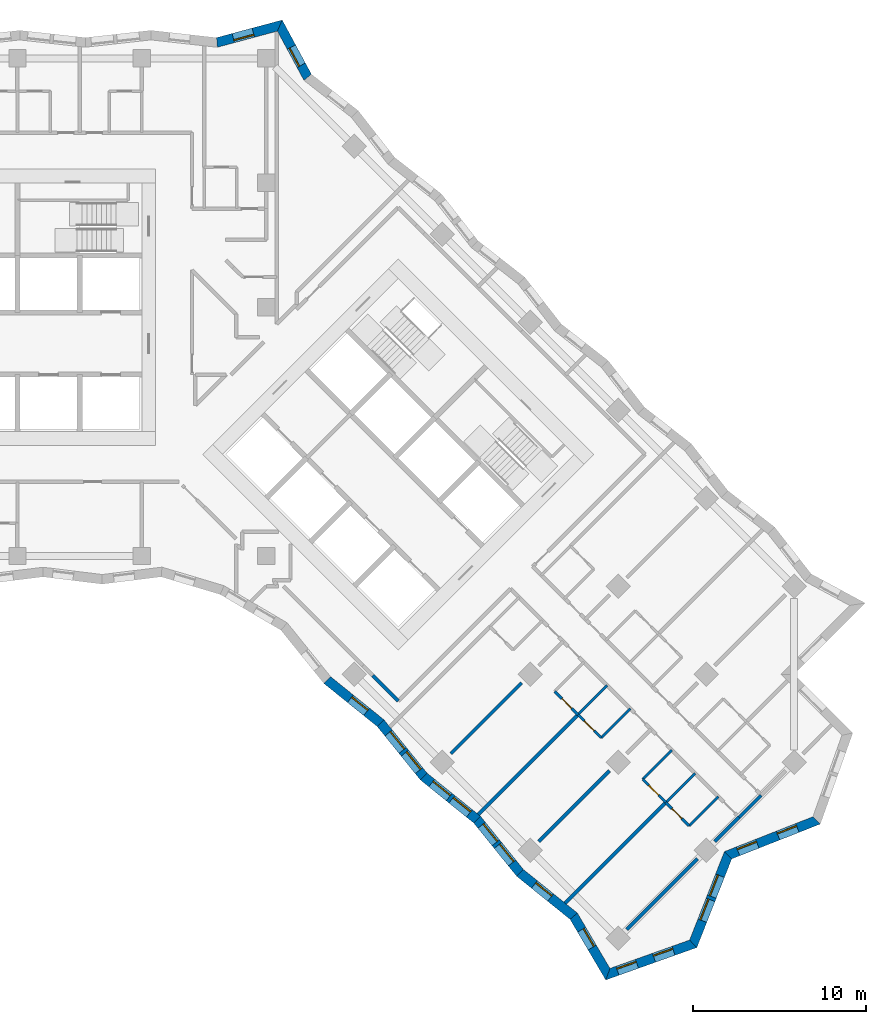
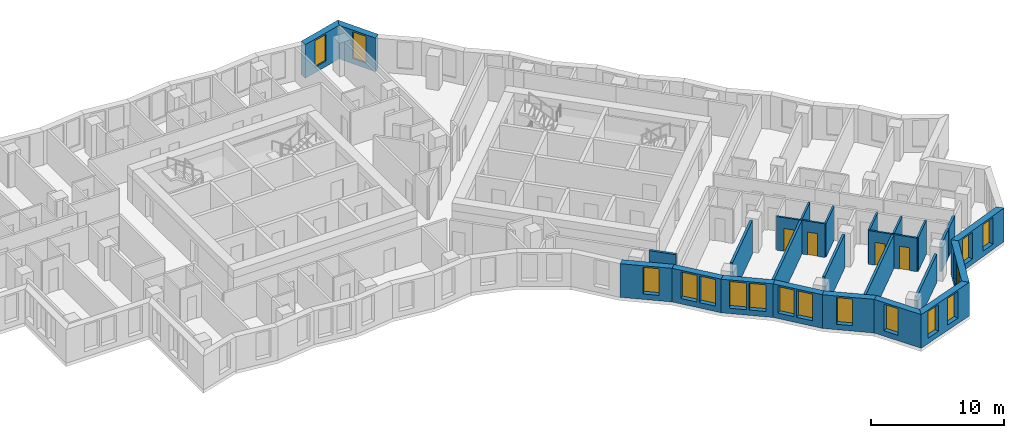
# One storey, part 8 of 13: 28 walls, 17 windows, 4 doors, 21 openings.
"""IFC4 building model written with IfcOpenShell, lengths in metres."""

from ifc_helpers import new_model, si_unit, direction, frame, frame_2d, origin, place, context, subcontext, project, spatial, polyline, rectangle, outline, extrude, material, layer, layer_set, type_object, element, fill, save


model = new_model("IFC4")

# Units and contexts
model_context = context("Model", 3, precision=1e-05, world=origin(), true_north=direction((0.0, 1.0)))
body_context = subcontext(model_context, "Body", "Model", "MODEL_VIEW")
ifc_project = project(units=[si_unit("LENGTHUNIT", "METRE"), si_unit("AREAUNIT", "SQUARE_METRE"), si_unit("VOLUMEUNIT", "CUBIC_METRE"), si_unit("PLANEANGLEUNIT", "RADIAN"), si_unit("MASSUNIT", "GRAM", prefix="KILO")], contexts=[model_context])

# Site, building, storey
site_placement = place(None, origin())
site = spatial("IfcSite", under=ifc_project, at=site_placement, CompositionType="ELEMENT")
building_placement = place(site_placement, origin())
building = spatial("IfcBuilding", under=site, at=building_placement, Name="Windrow Commons", CompositionType="ELEMENT")
storey_placement = place(building_placement, frame((0.0, 0.0, 94.8)))
storey = spatial("IfcBuildingStorey", under=building, at=storey_placement, Name="L25", CompositionType="ELEMENT", Elevation=94.8)

# Wall, openings, windows
ifc_material_1 = material(Name="Brick masonry, red clay brick", Category="masonry")
ifc_layer_1 = layer(ifc_material_1, 0.55)
ifc_layer_set_1 = layer_set([ifc_layer_1], Name="Brick facade wall 550")
wall_type_1 = type_object("IfcWallType", Name="Brick facade wall 550", PredefinedType="SOLIDWALL", material=ifc_layer_set_1)
wall_1_placement = place(storey_placement, frame((98.9645, 19.0046, 0.0), z_axis=(0.0, 0.0, 1.0), x_axis=(0.9420323594, 0.3355220319, 0.0)))
wall_1 = element("IfcWall", 1, at=wall_1_placement, inside=storey, type_object=wall_type_1, Name="Brick facade wall L25 1", PredefinedType="SOLIDWALL", context=body_context, shape_type="SweptSolid", body=[
    extrude(outline(polyline([(-0.2272, -0.275), (5.3688, -0.275), (5.1187, 0.275), (0.2272, 0.275), (-0.2272, -0.275)])), origin(), (0.0, 0.0, 1.0), 3.1),
])
opening_1_placement = place(wall_1_placement, frame((0.5878, 0.0, 0.5)))
opening_1 = element("IfcOpeningElement", 2, at=opening_1_placement, cuts=wall_1, Name="Opening W7D", PredefinedType="OPENING", context=body_context, shape_type="SweptSolid", body=[
    extrude(rectangle(XDim=1.2, YDim=2.45, at=frame_2d((0.6, 1.225))), frame((0.0, 0.285, 0.0), z_axis=(0.0, -1.0, 0.0), x_axis=(1.0, 0.0, 0.0)), (0.0, 0.0, 1.0), 0.57),
])
opening_2_placement = place(wall_1_placement, frame((2.8336, 0.0, 0.5)))
opening_2 = element("IfcOpeningElement", 3, at=opening_2_placement, cuts=wall_1, Name="Opening W7D", PredefinedType="OPENING", context=body_context, shape_type="SweptSolid", body=[
    extrude(rectangle(XDim=1.2, YDim=2.45, at=frame_2d((0.6, 1.225))), frame((0.0, 0.285, 0.0), z_axis=(0.0, -1.0, 0.0), x_axis=(1.0, 0.0, 0.0)), (0.0, 0.0, 1.0), 0.57),
])
ifc_material_2 = material(Name="Clear float glass in anodised aluminium frame", Category="aluminium")
window_type_1 = type_object("IfcWindowType", Name="Window W7 notch 1200x2450", PartitioningType="SINGLE_PANEL", PredefinedType="WINDOW", material=ifc_material_2)
window_1_placement = place(opening_1_placement, origin())
window_1 = element("IfcWindow", 4, at=window_1_placement, inside=storey, type_object=window_type_1, Name="Window L25 1.1", OverallHeight=2.45, OverallWidth=1.2, PartitioningType="SINGLE_PANEL", PredefinedType="WINDOW", context=body_context, shape_type="SweptSolid", body=[
    extrude(rectangle(XDim=1.2, YDim=2.45, at=frame_2d((0.6, 1.225))), frame((0.0, 0.155, 0.0), z_axis=(0.0, -1.0, 0.0), x_axis=(1.0, 0.0, 0.0)), (0.0, 0.0, 1.0), 0.06),
])
fill(opening_1, window_1)
window_2_placement = place(opening_2_placement, origin())
window_2 = element("IfcWindow", 5, at=window_2_placement, inside=storey, type_object=window_type_1, Name="Window L25 1.2", OverallHeight=2.45, OverallWidth=1.2, PartitioningType="SINGLE_PANEL", PredefinedType="WINDOW", context=body_context, shape_type="SweptSolid", body=[
    extrude(rectangle(XDim=1.2, YDim=2.45, at=frame_2d((0.6, 1.225))), frame((0.0, 0.155, 0.0), z_axis=(0.0, -1.0, 0.0), x_axis=(1.0, 0.0, 0.0)), (0.0, 0.0, 1.0), 0.06),
])
fill(opening_2, window_2)

wall_2_placement = place(storey_placement, frame((103.9043, 20.764, 0.0), z_axis=(0.0, 0.0, 1.0), x_axis=(0.3662073004, 0.930533295, 0.0)))
wall_2 = element("IfcWall", 6, at=wall_2_placement, inside=storey, type_object=wall_type_1, Name="Brick facade wall L25 2", PredefinedType="SOLIDWALL", context=body_context, shape_type="SweptSolid", body=[
    extrude(outline(polyline([(-0.1251, -0.275), (5.3881, -0.275), (5.6275, 0.275), (0.1251, 0.275), (-0.1251, -0.275)])), origin(), (0.0, 0.0, 1.0), 3.1),
])
opening_3_placement = place(wall_2_placement, frame((1.4328, 0.0, 0.5)))
opening_3 = element("IfcOpeningElement", 7, at=opening_3_placement, cuts=wall_2, Name="Opening W1P", PredefinedType="OPENING", context=body_context, shape_type="SweptSolid", body=[
    extrude(rectangle(XDim=1.3, YDim=2.45, at=frame_2d((0.65, 1.225))), frame((0.0, 0.285, 0.0), z_axis=(0.0, -1.0, 0.0), x_axis=(1.0, 0.0, 0.0)), (0.0, 0.0, 1.0), 0.57),
])
opening_4_placement = place(wall_2_placement, frame((2.9328, 0.0, 0.5)))
opening_4 = element("IfcOpeningElement", 8, at=opening_4_placement, cuts=wall_2, Name="Opening W1P", PredefinedType="OPENING", context=body_context, shape_type="SweptSolid", body=[
    extrude(rectangle(XDim=1.3, YDim=2.45, at=frame_2d((0.65, 1.225))), frame((0.0, 0.285, 0.0), z_axis=(0.0, -1.0, 0.0), x_axis=(1.0, 0.0, 0.0)), (0.0, 0.0, 1.0), 0.57),
])
ifc_material_3 = material(Name="Clear float glass in anodised aluminium frame", Category="aluminium")
window_type_2 = type_object("IfcWindowType", Name="Window W1P pair 1300x2450", PartitioningType="SINGLE_PANEL", PredefinedType="WINDOW", material=ifc_material_3)
window_3_placement = place(opening_3_placement, origin())
window_3 = element("IfcWindow", 9, at=window_3_placement, inside=storey, type_object=window_type_2, Name="Window L25 2.1A", OverallHeight=2.45, OverallWidth=1.3, PartitioningType="SINGLE_PANEL", PredefinedType="WINDOW", context=body_context, shape_type="SweptSolid", body=[
    extrude(rectangle(XDim=1.3, YDim=2.45, at=frame_2d((0.65, 1.225))), frame((0.0, 0.155, 0.0), z_axis=(0.0, -1.0, 0.0), x_axis=(1.0, 0.0, 0.0)), (0.0, 0.0, 1.0), 0.06),
])
fill(opening_3, window_3)
window_4_placement = place(opening_4_placement, origin())
window_4 = element("IfcWindow", 10, at=window_4_placement, inside=storey, type_object=window_type_2, Name="Window L25 2.1B", OverallHeight=2.45, OverallWidth=1.3, PartitioningType="SINGLE_PANEL", PredefinedType="WINDOW", context=body_context, shape_type="SweptSolid", body=[
    extrude(rectangle(XDim=1.3, YDim=2.45, at=frame_2d((0.65, 1.225))), frame((0.0, 0.155, 0.0), z_axis=(0.0, -1.0, 0.0), x_axis=(1.0, 0.0, 0.0)), (0.0, 0.0, 1.0), 0.06),
])
fill(opening_4, window_4)

wall_3_placement = place(storey_placement, frame((105.9213, 25.8892, 0.0), z_axis=(0.0, 0.0, 1.0), x_axis=(0.9305394819, 0.3661915791, 0.0)))
wall_3 = element("IfcWall", 11, at=wall_3_placement, inside=storey, type_object=wall_type_1, Name="Brick facade wall L25 3", PredefinedType="SOLIDWALL", context=body_context, shape_type="SweptSolid", body=[
    extrude(outline(polyline([(0.1197, -0.275), (5.6329, -0.275), (5.3827, 0.275), (-0.1197, 0.275), (0.1197, -0.275)])), origin(), (0.0, 0.0, 1.0), 3.1),
])
opening_5_placement = place(wall_3_placement, frame((0.617, 0.0, 0.5)))
opening_5 = element("IfcOpeningElement", 12, at=opening_5_placement, cuts=wall_3, Name="Opening W7D", PredefinedType="OPENING", context=body_context, shape_type="SweptSolid", body=[
    extrude(rectangle(XDim=1.2, YDim=2.45, at=frame_2d((0.6, 1.225))), frame((0.0, 0.285, 0.0), z_axis=(0.0, -1.0, 0.0), x_axis=(1.0, 0.0, 0.0)), (0.0, 0.0, 1.0), 0.57),
])
opening_6_placement = place(wall_3_placement, frame((3.1083, 0.0, 0.5)))
opening_6 = element("IfcOpeningElement", 13, at=opening_6_placement, cuts=wall_3, Name="Opening W7D", PredefinedType="OPENING", context=body_context, shape_type="SweptSolid", body=[
    extrude(rectangle(XDim=1.2, YDim=2.45, at=frame_2d((0.6, 1.225))), frame((0.0, 0.285, 0.0), z_axis=(0.0, -1.0, 0.0), x_axis=(1.0, 0.0, 0.0)), (0.0, 0.0, 1.0), 0.57),
])
window_5_placement = place(opening_5_placement, origin())
window_5 = element("IfcWindow", 14, at=window_5_placement, inside=storey, type_object=window_type_1, Name="Window L25 3.1", OverallHeight=2.45, OverallWidth=1.2, PartitioningType="SINGLE_PANEL", PredefinedType="WINDOW", context=body_context, shape_type="SweptSolid", body=[
    extrude(rectangle(XDim=1.2, YDim=2.45, at=frame_2d((0.6, 1.225))), frame((0.0, 0.155, 0.0), z_axis=(0.0, -1.0, 0.0), x_axis=(1.0, 0.0, 0.0)), (0.0, 0.0, 1.0), 0.06),
])
fill(opening_5, window_5)
window_6_placement = place(opening_6_placement, origin())
window_6 = element("IfcWindow", 15, at=window_6_placement, inside=storey, type_object=window_type_1, Name="Window L25 3.2", OverallHeight=2.45, OverallWidth=1.2, PartitioningType="SINGLE_PANEL", PredefinedType="WINDOW", context=body_context, shape_type="SweptSolid", body=[
    extrude(rectangle(XDim=1.2, YDim=2.45, at=frame_2d((0.6, 1.225))), frame((0.0, 0.155, 0.0), z_axis=(0.0, -1.0, 0.0), x_axis=(1.0, 0.0, 0.0)), (0.0, 0.0, 1.0), 0.06),
])
fill(opening_6, window_6)

# Wall, opening, window
wall_4_placement = place(storey_placement, frame((81.5936, 70.9075, 0.0), z_axis=(0.0, 0.0, 1.0), x_axis=(-0.4744753072, 0.8802688129, 0.0)))
wall_4 = element("IfcWall", 16, at=wall_4_placement, inside=storey, type_object=wall_type_1, Name="Brick facade wall L25 20", PredefinedType="SOLIDWALL", context=body_context, shape_type="SweptSolid", body=[
    extrude(outline(polyline([(0.0577, -0.275), (3.6159, -0.275), (3.1806, 0.275), (-0.0577, 0.275), (0.0577, -0.275)])), origin(), (0.0, 0.0, 1.0), 3.1),
])
opening_7_placement = place(wall_4_placement, frame((0.7866, 0.0, 0.5)))
opening_7 = element("IfcOpeningElement", 17, at=opening_7_placement, cuts=wall_4, Name="Opening W7D", PredefinedType="OPENING", context=body_context, shape_type="SweptSolid", body=[
    extrude(rectangle(XDim=1.2, YDim=2.45, at=frame_2d((0.6, 1.225))), frame((0.0, 0.285, 0.0), z_axis=(0.0, -1.0, 0.0), x_axis=(1.0, 0.0, 0.0)), (0.0, 0.0, 1.0), 0.57),
])
window_7_placement = place(opening_7_placement, origin())
window_7 = element("IfcWindow", 18, at=window_7_placement, inside=storey, type_object=window_type_1, Name="Window L25 20.1", OverallHeight=2.45, OverallWidth=1.2, PartitioningType="SINGLE_PANEL", PredefinedType="WINDOW", context=body_context, shape_type="SweptSolid", body=[
    extrude(rectangle(XDim=1.2, YDim=2.45, at=frame_2d((0.6, 1.225))), frame((0.0, 0.155, 0.0), z_axis=(0.0, -1.0, 0.0), x_axis=(1.0, 0.0, 0.0)), (0.0, 0.0, 1.0), 0.06),
])
fill(opening_7, window_7)

wall_5_placement = place(storey_placement, frame((79.9812, 73.8989, 0.0), z_axis=(0.0, 0.0, 1.0), x_axis=(-0.9656875188, -0.2597067886, 0.0)))
wall_5 = element("IfcWall", 19, at=wall_5_placement, inside=storey, type_object=wall_type_1, Name="Brick facade wall L25 21", PredefinedType="SOLIDWALL", context=body_context, shape_type="SweptSolid", body=[
    extrude(outline(polyline([(-0.2177, -0.275), (3.7135, -0.275), (3.8174, 0.275), (0.2177, 0.275), (-0.2177, -0.275)])), origin(), (0.0, 0.0, 1.0), 3.1),
])
opening_8_placement = place(wall_5_placement, frame((1.5872, 0.0, 0.5)))
opening_8 = element("IfcOpeningElement", 20, at=opening_8_placement, cuts=wall_5, Name="Opening W7D", PredefinedType="OPENING", context=body_context, shape_type="SweptSolid", body=[
    extrude(rectangle(XDim=1.2, YDim=2.45, at=frame_2d((0.6, 1.225))), frame((0.0, 0.285, 0.0), z_axis=(0.0, -1.0, 0.0), x_axis=(1.0, 0.0, 0.0)), (0.0, 0.0, 1.0), 0.57),
])
window_8_placement = place(opening_8_placement, origin())
window_8 = element("IfcWindow", 21, at=window_8_placement, inside=storey, type_object=window_type_1, Name="Window L25 21.1", OverallHeight=2.45, OverallWidth=1.2, PartitioningType="SINGLE_PANEL", PredefinedType="WINDOW", context=body_context, shape_type="SweptSolid", body=[
    extrude(rectangle(XDim=1.2, YDim=2.45, at=frame_2d((0.6, 1.225))), frame((0.0, 0.155, 0.0), z_axis=(0.0, -1.0, 0.0), x_axis=(1.0, 0.0, 0.0)), (0.0, 0.0, 1.0), 0.06),
])
fill(opening_8, window_8)

wall_6_placement = place(storey_placement, frame((82.7302, 36.0214, 0.0), z_axis=(0.0, 0.0, 1.0), x_axis=(0.7781804948, -0.6280406974, 0.0)))
wall_6 = element("IfcWall", 22, at=wall_6_placement, inside=storey, type_object=wall_type_1, Name="Brick facade wall L25 54", PredefinedType="SOLIDWALL", context=body_context, shape_type="SweptSolid", body=[
    extrude(outline(polyline([(-0.0294, -0.275), (3.9369, -0.275), (3.9956, 0.275), (0.0294, 0.275), (-0.0294, -0.275)])), origin(), (0.0, 0.0, 1.0), 3.1),
])
opening_9_placement = place(wall_6_placement, frame((1.7171, 0.0, 0.5)))
opening_9 = element("IfcOpeningElement", 23, at=opening_9_placement, cuts=wall_6, Name="Opening W7D", PredefinedType="OPENING", context=body_context, shape_type="SweptSolid", body=[
    extrude(rectangle(XDim=1.2, YDim=2.45, at=frame_2d((0.6, 1.225))), frame((0.0, 0.285, 0.0), z_axis=(0.0, -1.0, 0.0), x_axis=(1.0, 0.0, 0.0)), (0.0, 0.0, 1.0), 0.57),
])
window_9_placement = place(opening_9_placement, origin())
window_9 = element("IfcWindow", 24, at=window_9_placement, inside=storey, type_object=window_type_1, Name="Window L25 54.1", OverallHeight=2.45, OverallWidth=1.2, PartitioningType="SINGLE_PANEL", PredefinedType="WINDOW", context=body_context, shape_type="SweptSolid", body=[
    extrude(rectangle(XDim=1.2, YDim=2.45, at=frame_2d((0.6, 1.225))), frame((0.0, 0.155, 0.0), z_axis=(0.0, -1.0, 0.0), x_axis=(1.0, 0.0, 0.0)), (0.0, 0.0, 1.0), 0.06),
])
fill(opening_9, window_9)

# Wall, openings, windows
wall_7_placement = place(storey_placement, frame((85.8167, 33.5304, 0.0), z_axis=(0.0, 0.0, 1.0), x_axis=(0.6280530196, -0.7781705498, 0.0)))
wall_7 = element("IfcWall", 25, at=wall_7_placement, inside=storey, type_object=wall_type_1, Name="Brick facade wall L25 55", PredefinedType="SOLIDWALL", context=body_context, shape_type="SweptSolid", body=[
    extrude(outline(polyline([(0.0294, -0.275), (3.9956, -0.275), (3.9369, 0.275), (-0.0294, 0.275), (0.0294, -0.275)])), origin(), (0.0, 0.0, 1.0), 3.1),
])
opening_10_placement = place(wall_7_placement, frame((0.7295, 0.0, 0.5)))
opening_10 = element("IfcOpeningElement", 26, at=opening_10_placement, cuts=wall_7, Name="Opening W1P", PredefinedType="OPENING", context=body_context, shape_type="SweptSolid", body=[
    extrude(rectangle(XDim=1.3, YDim=2.45, at=frame_2d((0.65, 1.225))), frame((0.0, 0.285, 0.0), z_axis=(0.0, -1.0, 0.0), x_axis=(1.0, 0.0, 0.0)), (0.0, 0.0, 1.0), 0.57),
])
opening_11_placement = place(wall_7_placement, frame((2.2295, 0.0, 0.5)))
opening_11 = element("IfcOpeningElement", 27, at=opening_11_placement, cuts=wall_7, Name="Opening W1P", PredefinedType="OPENING", context=body_context, shape_type="SweptSolid", body=[
    extrude(rectangle(XDim=1.3, YDim=2.45, at=frame_2d((0.65, 1.225))), frame((0.0, 0.285, 0.0), z_axis=(0.0, -1.0, 0.0), x_axis=(1.0, 0.0, 0.0)), (0.0, 0.0, 1.0), 0.57),
])
window_10_placement = place(opening_10_placement, origin())
window_10 = element("IfcWindow", 28, at=window_10_placement, inside=storey, type_object=window_type_2, Name="Window L25 55.1A", OverallHeight=2.45, OverallWidth=1.3, PartitioningType="SINGLE_PANEL", PredefinedType="WINDOW", context=body_context, shape_type="SweptSolid", body=[
    extrude(rectangle(XDim=1.3, YDim=2.45, at=frame_2d((0.65, 1.225))), frame((0.0, 0.155, 0.0), z_axis=(0.0, -1.0, 0.0), x_axis=(1.0, 0.0, 0.0)), (0.0, 0.0, 1.0), 0.06),
])
fill(opening_10, window_10)
window_11_placement = place(opening_11_placement, origin())
window_11 = element("IfcWindow", 29, at=window_11_placement, inside=storey, type_object=window_type_2, Name="Window L25 55.1B", OverallHeight=2.45, OverallWidth=1.3, PartitioningType="SINGLE_PANEL", PredefinedType="WINDOW", context=body_context, shape_type="SweptSolid", body=[
    extrude(rectangle(XDim=1.3, YDim=2.45, at=frame_2d((0.65, 1.225))), frame((0.0, 0.155, 0.0), z_axis=(0.0, -1.0, 0.0), x_axis=(1.0, 0.0, 0.0)), (0.0, 0.0, 1.0), 0.06),
])
fill(opening_11, window_11)

wall_8_placement = place(storey_placement, frame((88.3077, 30.444, 0.0), z_axis=(0.0, 0.0, 1.0), x_axis=(0.7781705498, -0.6280530196, 0.0)))
wall_8 = element("IfcWall", 30, at=wall_8_placement, inside=storey, type_object=wall_type_1, Name="Brick facade wall L25 56", PredefinedType="SOLIDWALL", context=body_context, shape_type="SweptSolid", body=[
    extrude(outline(polyline([(-0.0294, -0.275), (3.9369, -0.275), (3.9956, 0.275), (0.0294, 0.275), (-0.0294, -0.275)])), origin(), (0.0, 0.0, 1.0), 3.1),
])
opening_12_placement = place(wall_8_placement, frame((0.5978, 0.0, 0.5)))
opening_12 = element("IfcOpeningElement", 31, at=opening_12_placement, cuts=wall_8, Name="Opening W1P", PredefinedType="OPENING", context=body_context, shape_type="SweptSolid", body=[
    extrude(rectangle(XDim=1.3, YDim=2.45, at=frame_2d((0.65, 1.225))), frame((0.0, 0.285, 0.0), z_axis=(0.0, -1.0, 0.0), x_axis=(1.0, 0.0, 0.0)), (0.0, 0.0, 1.0), 0.57),
])
opening_13_placement = place(wall_8_placement, frame((2.0978, 0.0, 0.5)))
opening_13 = element("IfcOpeningElement", 32, at=opening_13_placement, cuts=wall_8, Name="Opening W1P", PredefinedType="OPENING", context=body_context, shape_type="SweptSolid", body=[
    extrude(rectangle(XDim=1.3, YDim=2.45, at=frame_2d((0.65, 1.225))), frame((0.0, 0.285, 0.0), z_axis=(0.0, -1.0, 0.0), x_axis=(1.0, 0.0, 0.0)), (0.0, 0.0, 1.0), 0.57),
])
window_12_placement = place(opening_12_placement, origin())
window_12 = element("IfcWindow", 33, at=window_12_placement, inside=storey, type_object=window_type_2, Name="Window L25 56.1A", OverallHeight=2.45, OverallWidth=1.3, PartitioningType="SINGLE_PANEL", PredefinedType="WINDOW", context=body_context, shape_type="SweptSolid", body=[
    extrude(rectangle(XDim=1.3, YDim=2.45, at=frame_2d((0.65, 1.225))), frame((0.0, 0.155, 0.0), z_axis=(0.0, -1.0, 0.0), x_axis=(1.0, 0.0, 0.0)), (0.0, 0.0, 1.0), 0.06),
])
fill(opening_12, window_12)
window_13_placement = place(opening_13_placement, origin())
window_13 = element("IfcWindow", 34, at=window_13_placement, inside=storey, type_object=window_type_2, Name="Window L25 56.1B", OverallHeight=2.45, OverallWidth=1.3, PartitioningType="SINGLE_PANEL", PredefinedType="WINDOW", context=body_context, shape_type="SweptSolid", body=[
    extrude(rectangle(XDim=1.3, YDim=2.45, at=frame_2d((0.65, 1.225))), frame((0.0, 0.155, 0.0), z_axis=(0.0, -1.0, 0.0), x_axis=(1.0, 0.0, 0.0)), (0.0, 0.0, 1.0), 0.06),
])
fill(opening_13, window_13)

wall_9_placement = place(storey_placement, frame((91.3941, 27.953, 0.0), z_axis=(0.0, 0.0, 1.0), x_axis=(0.6280530196, -0.7781705498, 0.0)))
wall_9 = element("IfcWall", 35, at=wall_9_placement, inside=storey, type_object=wall_type_1, Name="Brick facade wall L25 57", PredefinedType="SOLIDWALL", context=body_context, shape_type="SweptSolid", body=[
    extrude(outline(polyline([(0.0294, -0.275), (3.9956, -0.275), (3.9369, 0.275), (-0.0294, 0.275), (0.0294, -0.275)])), origin(), (0.0, 0.0, 1.0), 3.1),
])
opening_14_placement = place(wall_9_placement, frame((0.4255, 0.0, 0.5)))
opening_14 = element("IfcOpeningElement", 36, at=opening_14_placement, cuts=wall_9, Name="Opening W1P", PredefinedType="OPENING", context=body_context, shape_type="SweptSolid", body=[
    extrude(rectangle(XDim=1.3, YDim=2.45, at=frame_2d((0.65, 1.225))), frame((0.0, 0.285, 0.0), z_axis=(0.0, -1.0, 0.0), x_axis=(1.0, 0.0, 0.0)), (0.0, 0.0, 1.0), 0.57),
])
opening_15_placement = place(wall_9_placement, frame((1.9255, 0.0, 0.5)))
opening_15 = element("IfcOpeningElement", 37, at=opening_15_placement, cuts=wall_9, Name="Opening W1P", PredefinedType="OPENING", context=body_context, shape_type="SweptSolid", body=[
    extrude(rectangle(XDim=1.3, YDim=2.45, at=frame_2d((0.65, 1.225))), frame((0.0, 0.285, 0.0), z_axis=(0.0, -1.0, 0.0), x_axis=(1.0, 0.0, 0.0)), (0.0, 0.0, 1.0), 0.57),
])
window_14_placement = place(opening_14_placement, origin())
window_14 = element("IfcWindow", 38, at=window_14_placement, inside=storey, type_object=window_type_2, Name="Window L25 57.1A", OverallHeight=2.45, OverallWidth=1.3, PartitioningType="SINGLE_PANEL", PredefinedType="WINDOW", context=body_context, shape_type="SweptSolid", body=[
    extrude(rectangle(XDim=1.3, YDim=2.45, at=frame_2d((0.65, 1.225))), frame((0.0, 0.155, 0.0), z_axis=(0.0, -1.0, 0.0), x_axis=(1.0, 0.0, 0.0)), (0.0, 0.0, 1.0), 0.06),
])
fill(opening_14, window_14)
window_15_placement = place(opening_15_placement, origin())
window_15 = element("IfcWindow", 39, at=window_15_placement, inside=storey, type_object=window_type_2, Name="Window L25 57.1B", OverallHeight=2.45, OverallWidth=1.3, PartitioningType="SINGLE_PANEL", PredefinedType="WINDOW", context=body_context, shape_type="SweptSolid", body=[
    extrude(rectangle(XDim=1.3, YDim=2.45, at=frame_2d((0.65, 1.225))), frame((0.0, 0.155, 0.0), z_axis=(0.0, -1.0, 0.0), x_axis=(1.0, 0.0, 0.0)), (0.0, 0.0, 1.0), 0.06),
])
fill(opening_15, window_15)

# Wall, opening, window
wall_10_placement = place(storey_placement, frame((93.8851, 24.8666, 0.0), z_axis=(0.0, 0.0, 1.0), x_axis=(0.7781698309, -0.6280539103, 0.0)))
wall_10 = element("IfcWall", 40, at=wall_10_placement, inside=storey, type_object=wall_type_1, Name="Brick facade wall L25 58", PredefinedType="SOLIDWALL", context=body_context, shape_type="SweptSolid", body=[
    extrude(outline(polyline([(-0.0294, -0.275), (3.9369, -0.275), (4.0369, 0.275), (0.0294, 0.275), (-0.0294, -0.275)])), origin(), (0.0, 0.0, 1.0), 3.1),
])
opening_16_placement = place(wall_10_placement, frame((1.0673, 0.0, 0.5)))
opening_16 = element("IfcOpeningElement", 41, at=opening_16_placement, cuts=wall_10, Name="Opening W7D", PredefinedType="OPENING", context=body_context, shape_type="SweptSolid", body=[
    extrude(rectangle(XDim=1.2, YDim=2.45, at=frame_2d((0.6, 1.225))), frame((0.0, 0.285, 0.0), z_axis=(0.0, -1.0, 0.0), x_axis=(1.0, 0.0, 0.0)), (0.0, 0.0, 1.0), 0.57),
])
window_16_placement = place(opening_16_placement, origin())
window_16 = element("IfcWindow", 42, at=window_16_placement, inside=storey, type_object=window_type_1, Name="Window L25 58.1", OverallHeight=2.45, OverallWidth=1.2, PartitioningType="SINGLE_PANEL", PredefinedType="WINDOW", context=body_context, shape_type="SweptSolid", body=[
    extrude(rectangle(XDim=1.2, YDim=2.45, at=frame_2d((0.6, 1.225))), frame((0.0, 0.155, 0.0), z_axis=(0.0, -1.0, 0.0), x_axis=(1.0, 0.0, 0.0)), (0.0, 0.0, 1.0), 0.06),
])
fill(opening_16, window_16)

wall_11_placement = place(storey_placement, frame((96.9876, 22.3626, 0.0), z_axis=(0.0, 0.0, 1.0), x_axis=(0.507326266, -0.86175406, 0.0)))
wall_11 = element("IfcWall", 43, at=wall_11_placement, inside=storey, type_object=wall_type_1, Name="Brick facade wall L25 59", PredefinedType="SOLIDWALL", context=body_context, shape_type="SweptSolid", body=[
    extrude(outline(polyline([(0.05, -0.275), (4.1238, -0.275), (3.6695, 0.275), (-0.05, 0.275), (0.05, -0.275)])), origin(), (0.0, 0.0, 1.0), 3.1),
])
opening_17_placement = place(wall_11_placement, frame((0.9066, 0.0, 0.5)))
opening_17 = element("IfcOpeningElement", 44, at=opening_17_placement, cuts=wall_11, Name="Opening W7D", PredefinedType="OPENING", context=body_context, shape_type="SweptSolid", body=[
    extrude(rectangle(XDim=1.2, YDim=2.45, at=frame_2d((0.6, 1.225))), frame((0.0, 0.285, 0.0), z_axis=(0.0, -1.0, 0.0), x_axis=(1.0, 0.0, 0.0)), (0.0, 0.0, 1.0), 0.57),
])
window_17_placement = place(opening_17_placement, origin())
window_17 = element("IfcWindow", 45, at=window_17_placement, inside=storey, type_object=window_type_1, Name="Window L25 59.1", OverallHeight=2.45, OverallWidth=1.2, PartitioningType="SINGLE_PANEL", PredefinedType="WINDOW", context=body_context, shape_type="SweptSolid", body=[
    extrude(rectangle(XDim=1.2, YDim=2.45, at=frame_2d((0.6, 1.225))), frame((0.0, 0.155, 0.0), z_axis=(0.0, -1.0, 0.0), x_axis=(1.0, 0.0, 0.0)), (0.0, 0.0, 1.0), 0.06),
])
fill(opening_17, window_17)

# Walls
ifc_material_4 = material(Name="Blockwork partition", Category="masonry")
ifc_layer_2 = layer(ifc_material_4, 0.2)
ifc_layer_set_2 = layer_set([ifc_layer_2], Name="IW-CORRIDOR-200")
wall_type_2 = type_object("IfcWallType", Name="IW-CORRIDOR-200", PredefinedType="PARTITIONING", material=ifc_layer_set_2)
wall_12_placement = place(storey_placement, frame((85.353, 36.293, 0.0), z_axis=(0.0, 0.0, 1.0), x_axis=(0.7066304548, -0.7075827869, 0.0)))
element("IfcWall", 46, at=wall_12_placement, inside=storey, type_object=wall_type_2, Name="W-L25-W118", PredefinedType="PARTITIONING", context=body_context, shape_type="SweptSolid", body=[
    extrude(rectangle(XDim=2.1001, YDim=0.2, at=frame_2d((1.05, 0.0))), origin(), (0.0, 0.0, 1.0), 3.1),
])
wall_13_placement = place(storey_placement, frame((106.568, 28.086, 0.0), z_axis=(0.0, 0.0, 1.0), x_axis=(0.7065510983, 0.7076620277, 0.0)))
element("IfcWall", 47, at=wall_13_placement, inside=storey, type_object=wall_type_2, Name="W-L25-W150", PredefinedType="PARTITIONING", context=body_context, shape_type="SweptSolid", body=[
    extrude(rectangle(XDim=1.8003, YDim=0.2, at=frame_2d((0.9002, 0.0))), origin(), (0.0, 0.0, 1.0), 2.6),
])
ifc_material_5 = material(Name="Blockwork partition", Category="masonry")
ifc_layer_3 = layer(ifc_material_5, 0.15)
ifc_layer_set_3 = layer_set([ifc_layer_3], Name="IW-ENSUITE-150")
wall_type_3 = type_object("IfcWallType", Name="IW-ENSUITE-150", PredefinedType="PARTITIONING", material=ifc_layer_set_3)
for number, where, z_axis, x_axis, name in (
    (48, (100.9773, 30.2807, 0.0), (0.0, 0.0, 1.0), (0.7071067812, 0.7071067812, 0.0), "W-L25-W071"),
    (49, (98.5731, 32.6849, 0.0), (0.0, 0.0, 1.0), (0.7071067812, 0.7071067812, 0.0), "W-L25-W072"),
):
    element("IfcWall", number, at=place(storey_placement, frame(where, z_axis=z_axis, x_axis=x_axis)), inside=storey, type_object=wall_type_3, Name=name, PredefinedType="PARTITIONING", context=body_context, shape_type="SweptSolid", body=[
        extrude(rectangle(XDim=2.4013, YDim=0.15, at=frame_2d((1.2006, 0.0))), origin(), (0.0, 0.0, 1.0), 3.1),
    ])
wall_14_placement = place(storey_placement, frame((97.2344, 34.0256, 0.0), z_axis=(0.0, 0.0, 1.0), x_axis=(0.706689978, 0.7075233388, 0.0)))
element("IfcWall", 50, at=wall_14_placement, inside=storey, type_object=wall_type_3, Name="W-L25-W101", PredefinedType="PARTITIONING", context=body_context, shape_type="SweptSolid", body=[
    extrude(rectangle(XDim=2.3999, YDim=0.15, at=frame_2d((1.2, 0.0))), origin(), (0.0, 0.0, 1.0), 3.1),
])
for number, where, z_axis, x_axis, name in (
    (51, (102.3228, 28.9392, 0.0), (0.0, 0.0, 1.0), (0.7071067812, 0.7071067812, 0.0), "W-L25-W109"),
    (52, (103.6653, 27.5947, 0.0), (0.0, 0.0, 1.0), (0.7071067812, 0.7071067812, 0.0), "W-L25-W110"),
):
    element("IfcWall", number, at=place(storey_placement, frame(where, z_axis=z_axis, x_axis=x_axis)), inside=storey, type_object=wall_type_3, Name=name, PredefinedType="PARTITIONING", context=body_context, shape_type="SweptSolid", body=[
        extrude(rectangle(XDim=2.3985, YDim=0.15, at=frame_2d((1.1992, 0.0))), origin(), (0.0, 0.0, 1.0), 3.1),
    ])

# Wall, opening, door
wall_15_placement = place(storey_placement, frame((95.8846, 35.3686, 0.0), z_axis=(0.0, 0.0, 1.0), x_axis=(0.7071067812, -0.7071067812, 0.0)))
wall_15 = element("IfcWall", 53, at=wall_15_placement, inside=storey, type_object=wall_type_3, Name="W-L25-W134", PredefinedType="PARTITIONING", context=body_context, shape_type="SweptSolid", body=[
    extrude(rectangle(XDim=1.9007, YDim=0.15, at=frame_2d((0.9504, 0.0))), origin(), (0.0, 0.0, 1.0), 3.1),
])
opening_18_placement = place(wall_15_placement, frame((0.595, 0.0, 0.0)))
opening_18 = element("IfcOpeningElement", 54, at=opening_18_placement, cuts=wall_15, Name="Opening D208N", PredefinedType="OPENING", context=body_context, shape_type="SweptSolid", body=[
    extrude(rectangle(XDim=0.8, YDim=2.1, at=frame_2d((0.4, 1.05))), frame((0.0, 0.085, 0.0), z_axis=(0.0, -1.0, 0.0), x_axis=(1.0, 0.0, 0.0)), (0.0, 0.0, 1.0), 0.17),
])
ifc_material_6 = material(Name="Timber door leaf", Category="wood")
door_type = type_object("IfcDoorType", Name="DT-ENSUITE-800", OperationType="SINGLE_SWING_LEFT", PredefinedType="DOOR", material=ifc_material_6)
door_1_placement = place(opening_18_placement, origin())
door_1 = element("IfcDoor", 55, at=door_1_placement, inside=storey, type_object=door_type, Name="D-L25-D060", OperationType="SINGLE_SWING_RIGHT", OverallHeight=2.1, OverallWidth=0.8, PredefinedType="DOOR", context=body_context, shape_type="SweptSolid", body=[
    extrude(rectangle(XDim=0.8, YDim=2.1, at=frame_2d((0.4, 1.05))), frame((0.0, 0.025, 0.0), z_axis=(0.0, -1.0, 0.0), x_axis=(1.0, 0.0, 0.0)), (0.0, 0.0, 1.0), 0.05),
])
fill(opening_18, door_1)

wall_16_placement = place(storey_placement, frame((100.9807, 30.2827, 0.0), z_axis=(0.0, 0.0, 1.0), x_axis=(0.7076330979, -0.7065800724, 0.0)))
wall_16 = element("IfcWall", 56, at=wall_16_placement, inside=storey, type_object=wall_type_3, Name="W-L25-W144", PredefinedType="PARTITIONING", context=body_context, shape_type="SweptSolid", body=[
    extrude(rectangle(XDim=1.8993, YDim=0.15, at=frame_2d((0.9496, 0.0))), origin(), (0.0, 0.0, 1.0), 3.1),
])
opening_19_placement = place(wall_16_placement, frame((0.4932, 0.0, 0.0)))
opening_19 = element("IfcOpeningElement", 57, at=opening_19_placement, cuts=wall_16, Name="Opening D208N", PredefinedType="OPENING", context=body_context, shape_type="SweptSolid", body=[
    extrude(rectangle(XDim=0.8, YDim=2.1, at=frame_2d((0.4, 1.05))), frame((0.0, 0.085, 0.0), z_axis=(0.0, -1.0, 0.0), x_axis=(1.0, 0.0, 0.0)), (0.0, 0.0, 1.0), 0.17),
])
door_2_placement = place(opening_19_placement, origin())
door_2 = element("IfcDoor", 58, at=door_2_placement, inside=storey, type_object=door_type, Name="D-L25-D064", OperationType="SINGLE_SWING_RIGHT", OverallHeight=2.1, OverallWidth=0.8, PredefinedType="DOOR", context=body_context, shape_type="SweptSolid", body=[
    extrude(rectangle(XDim=0.8, YDim=2.1, at=frame_2d((0.4, 1.05))), frame((0.0, 0.025, 0.0), z_axis=(0.0, -1.0, 0.0), x_axis=(1.0, 0.0, 0.0)), (0.0, 0.0, 1.0), 0.05),
])
fill(opening_19, door_2)

wall_17_placement = place(storey_placement, frame((97.2334, 34.0294, 0.0), z_axis=(0.0, 0.0, 1.0), x_axis=(0.7065800724, -0.7076330979, 0.0)))
wall_17 = element("IfcWall", 59, at=wall_17_placement, inside=storey, type_object=wall_type_3, Name="W-L25-W146", PredefinedType="PARTITIONING", context=body_context, shape_type="SweptSolid", body=[
    extrude(rectangle(XDim=1.8993, YDim=0.15, at=frame_2d((0.9496, 0.0))), origin(), (0.0, 0.0, 1.0), 3.1),
])
opening_20_placement = place(wall_17_placement, frame((0.5153, 0.0, 0.0)))
opening_20 = element("IfcOpeningElement", 60, at=opening_20_placement, cuts=wall_17, Name="Opening D208N", PredefinedType="OPENING", context=body_context, shape_type="SweptSolid", body=[
    extrude(rectangle(XDim=0.8, YDim=2.1, at=frame_2d((0.4, 1.05))), frame((0.0, 0.085, 0.0), z_axis=(0.0, -1.0, 0.0), x_axis=(1.0, 0.0, 0.0)), (0.0, 0.0, 1.0), 0.17),
])
door_3_placement = place(opening_20_placement, origin())
door_3 = element("IfcDoor", 61, at=door_3_placement, inside=storey, type_object=door_type, Name="D-L25-D062", OperationType="SINGLE_SWING_RIGHT", OverallHeight=2.1, OverallWidth=0.8, PredefinedType="DOOR", context=body_context, shape_type="SweptSolid", body=[
    extrude(rectangle(XDim=0.8, YDim=2.1, at=frame_2d((0.4, 1.05))), frame((0.0, 0.025, 0.0), z_axis=(0.0, -1.0, 0.0), x_axis=(1.0, 0.0, 0.0)), (0.0, 0.0, 1.0), 0.05),
])
fill(opening_20, door_3)

wall_18_placement = place(storey_placement, frame((102.3206, 28.9346, 0.0), z_axis=(0.0, 0.0, 1.0), x_axis=(0.7065800724, -0.7076330979, 0.0)))
wall_18 = element("IfcWall", 62, at=wall_18_placement, inside=storey, type_object=wall_type_3, Name="W-L25-W148", PredefinedType="PARTITIONING", context=body_context, shape_type="SweptSolid", body=[
    extrude(rectangle(XDim=1.8993, YDim=0.15, at=frame_2d((0.9496, 0.0))), origin(), (0.0, 0.0, 1.0), 3.1),
])
opening_21_placement = place(wall_18_placement, frame((0.5015, 0.0, 0.0)))
opening_21 = element("IfcOpeningElement", 63, at=opening_21_placement, cuts=wall_18, Name="Opening D208N", PredefinedType="OPENING", context=body_context, shape_type="SweptSolid", body=[
    extrude(rectangle(XDim=0.8, YDim=2.1, at=frame_2d((0.4, 1.05))), frame((0.0, 0.085, 0.0), z_axis=(0.0, -1.0, 0.0), x_axis=(1.0, 0.0, 0.0)), (0.0, 0.0, 1.0), 0.17),
])
door_4_placement = place(opening_21_placement, origin())
door_4 = element("IfcDoor", 64, at=door_4_placement, inside=storey, type_object=door_type, Name="D-L25-D066", OperationType="SINGLE_SWING_RIGHT", OverallHeight=2.1, OverallWidth=0.8, PredefinedType="DOOR", context=body_context, shape_type="SweptSolid", body=[
    extrude(rectangle(XDim=0.8, YDim=2.1, at=frame_2d((0.4, 1.05))), frame((0.0, 0.025, 0.0), z_axis=(0.0, -1.0, 0.0), x_axis=(1.0, 0.0, 0.0)), (0.0, 0.0, 1.0), 0.05),
])
fill(opening_21, door_4)

# Walls
ifc_material_7 = material(Name="Blockwork partition", Category="masonry")
ifc_layer_4 = layer(ifc_material_7, 0.2)
ifc_layer_set_4 = layer_set([ifc_layer_4], Name="IW-PARTY-200")
wall_type_4 = type_object("IfcWallType", Name="IW-PARTY-200", PredefinedType="PARTITIONING", material=ifc_layer_set_4)
wall_19_placement = place(storey_placement, frame((96.4962, 23.1126, 0.0), z_axis=(0.0, 0.0, 1.0), x_axis=(0.7071067812, 0.7071067812, 0.0)))
element("IfcWall", 65, at=wall_19_placement, inside=storey, type_object=wall_type_4, Name="W-L25-W014", PredefinedType="PARTITIONING", context=body_context, shape_type="SweptSolid", body=[
    extrude(rectangle(XDim=8.2401, YDim=0.2, at=frame_2d((4.12, 0.0))), origin(), (0.0, 0.0, 1.0), 3.1),
])
wall_20_placement = place(storey_placement, frame((91.4607, 28.2526, 0.0), z_axis=(0.0, 0.0, 1.0), x_axis=(0.7072231255, 0.7069904178, 0.0)))
element("IfcWall", 66, at=wall_20_placement, inside=storey, type_object=wall_type_4, Name="W-L25-W016", PredefinedType="PARTITIONING", context=body_context, shape_type="SweptSolid", body=[
    extrude(rectangle(XDim=8.1647, YDim=0.2, at=frame_2d((4.0823, 0.0))), origin(), (0.0, 0.0, 1.0), 3.1),
])
wall_21_placement = place(storey_placement, frame((100.0624, 21.5876, 0.0), z_axis=(0.0, 0.0, 1.0), x_axis=(0.7071067812, 0.7071067812, 0.0)))
element("IfcWall", 67, at=wall_21_placement, inside=storey, type_object=wall_type_4, Name="W-L25-W036", PredefinedType="PARTITIONING", context=body_context, shape_type="SweptSolid", body=[
    extrude(rectangle(XDim=5.7898, YDim=0.2, at=frame_2d((2.8949, 0.0))), origin(), (0.0, 0.0, 1.0), 2.6),
])
wall_22_placement = place(storey_placement, frame((89.881, 31.771, 0.0), z_axis=(0.0, 0.0, 1.0), x_axis=(0.7071067812, 0.7071067812, 0.0)))
element("IfcWall", 68, at=wall_22_placement, inside=storey, type_object=wall_type_4, Name="W-L25-W037", PredefinedType="PARTITIONING", context=body_context, shape_type="SweptSolid", body=[
    extrude(rectangle(XDim=5.787, YDim=0.2, at=frame_2d((2.8935, 0.0))), origin(), (0.0, 0.0, 1.0), 3.1),
])
wall_23_placement = place(storey_placement, frame((94.9732, 26.6808, 0.0), z_axis=(0.0, 0.0, 1.0), x_axis=(0.7071067812, 0.7071067812, 0.0)))
element("IfcWall", 69, at=wall_23_placement, inside=storey, type_object=wall_type_4, Name="W-L25-W040", PredefinedType="PARTITIONING", context=body_context, shape_type="SweptSolid", body=[
    extrude(rectangle(XDim=5.7841, YDim=0.2, at=frame_2d((2.892, 0.0))), origin(), (0.0, 0.0, 1.0), 3.1),
])
wall_24_placement = place(storey_placement, frame((105.1544, 26.6796, 0.0), z_axis=(0.0, 0.0, 1.0), x_axis=(0.7071067812, 0.7071067812, 0.0)))
element("IfcWall", 70, at=wall_24_placement, inside=storey, type_object=wall_type_4, Name="W-L25-W127", PredefinedType="PARTITIONING", context=body_context, shape_type="SweptSolid", body=[
    extrude(rectangle(XDim=1.994, YDim=0.2, at=frame_2d((0.997, 0.0))), origin(), (0.0, 0.0, 1.0), 2.6),
])

save(model, "model.ifc")
